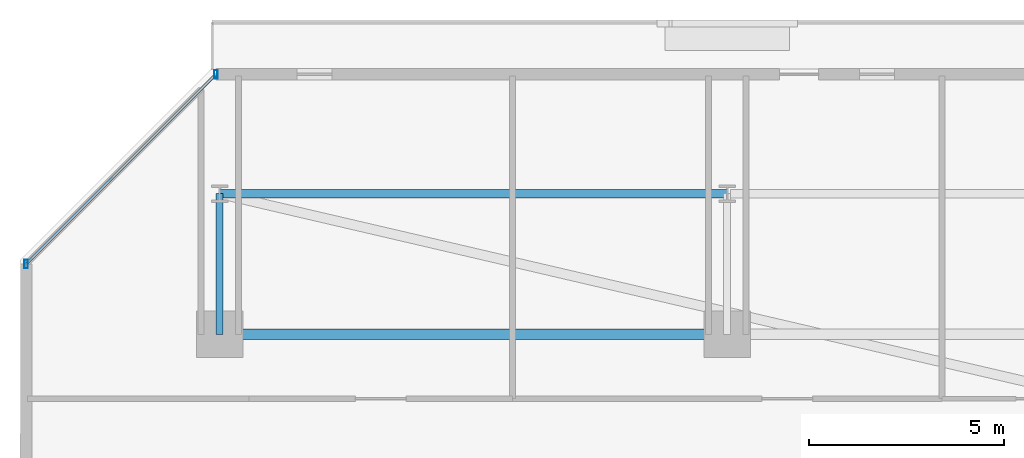
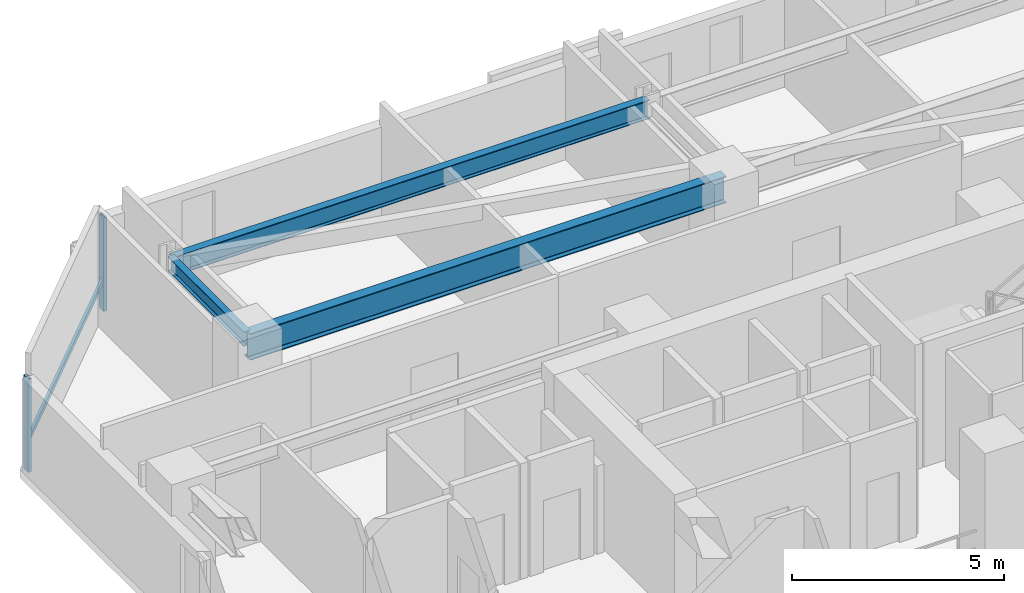
# One storey, part 8 of 31: 3 beams, 3 members, 1 element without a shape of its own.
"""IFC4 building model written with IfcOpenShell, lengths in metres."""

from ifc_helpers import new_model, si_unit, direction, frame, origin, origin_2d, place, context, subcontext, project, spatial, hollow_rectangle, i_section, extrude, material, material_profile, profile_set, type_object, element, aggregate, save


model = new_model("IFC4")

# Units and contexts
model_context = context("Model", 3, precision=1e-05, world=origin(), true_north=direction((0.0, 1.0)))
body_context = subcontext(model_context, "Body", "Model", "MODEL_VIEW")
ifc_project = project(units=[si_unit("LENGTHUNIT", "METRE"), si_unit("AREAUNIT", "SQUARE_METRE"), si_unit("VOLUMEUNIT", "CUBIC_METRE"), si_unit("PLANEANGLEUNIT", "RADIAN"), si_unit("MASSUNIT", "GRAM", prefix="KILO")], contexts=[model_context])

# Site, building, storey
site_placement = place(None, origin())
site = spatial("IfcSite", under=ifc_project, at=site_placement, CompositionType="ELEMENT")
building_placement = place(site_placement, origin())
building = spatial("IfcBuilding", under=site, at=building_placement, Name="Thornwick Lancets Civic Towers", CompositionType="ELEMENT")
storey_placement = place(building_placement, frame((0.0, 0.0, 90.89990234375)))
storey = spatial("IfcBuildingStorey", under=building, at=storey_placement, Name="L23", CompositionType="ELEMENT", Elevation=90.89990234375)

# Beams
ifc_material_1 = material(Name="Steel S355JR", Category="steel")
ifc_material_profile_1 = material_profile(ifc_material_1, i_section(OverallWidth=0.2119140625, OverallDepth=0.54443359375, WebThickness=0.0126953125, FlangeThickness=0.021240234375, FilletRadius=0.0126953125, at=origin_2d()), Name="UKB 533x210x122")
ifc_profile_set_1 = profile_set([ifc_material_profile_1], Name="Steel S355JR")
beam_type_1 = type_object("IfcBeamType", Name="BM_EDGE_533_122", PredefinedType="SPANDREL", material=ifc_profile_set_1)
beam_1_placement = place(storey_placement, frame((12.5, 47.89990234375, 3.087890625), z_axis=(1.0, 0.0, 0.0), x_axis=(0.0, 1.0, 0.0)))
element("IfcBeam", 1, at=beam_1_placement, inside=storey, type_object=beam_type_1, Name="BM-EDGE-L23-A-S2-1", PredefinedType="SPANDREL", context=body_context, shape_type="SweptSolid", body=[
    extrude(i_section(OverallWidth=0.2119140625, OverallDepth=0.54443359375, WebThickness=0.0126953125, FlangeThickness=0.021240234375, FilletRadius=0.0126953125, at=origin_2d()), origin(), (0.0, 0.0, 1.0), 13.0),
])
ifc_material_profile_2 = material_profile(ifc_material_1, i_section(OverallWidth=0.26806640625, OverallDepth=0.769775390625, WebThickness=0.015625, FlangeThickness=0.025390625, FilletRadius=0.0166015625, at=origin_2d()), Name="UKB 762x267x197")
ifc_profile_set_2 = profile_set([ifc_material_profile_2], Name="Steel S355JR")
beam_type_2 = type_object("IfcBeamType", Name="BM_GIRD_762_197", PredefinedType="BEAM", material=ifc_profile_set_2)
beam_2_placement = place(storey_placement, frame((12.5, 44.300048828125, 2.97509765625), z_axis=(1.0, 0.0, 0.0), x_axis=(0.0, 1.0, 0.0)))
element("IfcBeam", 2, at=beam_2_placement, inside=storey, type_object=beam_type_2, Name="BM-SPINE-L23-A-6-7", PredefinedType="BEAM", context=body_context, shape_type="SweptSolid", body=[
    extrude(i_section(OverallWidth=0.26806640625, OverallDepth=0.769775390625, WebThickness=0.015625, FlangeThickness=0.025390625, FilletRadius=0.0166015625, at=origin_2d()), origin(), (0.0, 0.0, 1.0), 13.0),
])
ifc_material_profile_3 = material_profile(ifc_material_1, i_section(OverallWidth=0.179443359375, OverallDepth=0.412841796875, WebThickness=0.009521484375, FlangeThickness=0.01611328125, FilletRadius=0.01025390625, at=origin_2d()), Name="UKB 406x178x74")
ifc_profile_set_3 = profile_set([ifc_material_profile_3], Name="Steel S355JR")
beam_type_3 = type_object("IfcBeamType", Name="BM_JOIST_406_74", PredefinedType="JOIST", material=ifc_profile_set_3)
beam_3_placement = place(storey_placement, frame((12.5, 44.300048828125, 3.15380859375), z_axis=(0.0, 1.0, 0.0), x_axis=(-1.0, 0.0, 0.0)))
element("IfcBeam", 3, at=beam_3_placement, inside=storey, type_object=beam_type_3, Name="BM-RAD-L23-A07", PredefinedType="JOIST", context=body_context, shape_type="SweptSolid", body=[
    extrude(i_section(OverallWidth=0.179443359375, OverallDepth=0.412841796875, WebThickness=0.009521484375, FlangeThickness=0.01611328125, FilletRadius=0.01025390625, at=origin_2d()), origin(), (0.0, 0.0, 1.0), 3.599853515625),
])

# Curtain wall, members
ifc_material_2 = material(Name="Low-zone chamfered-corner unitised glass curtain wall", Category="glass")
curtain_wall_type = type_object("IfcCurtainWallType", Name="CW_SYS_03", PredefinedType="NOTDEFINED", material=ifc_material_2)
curtain_wall_placement = place(storey_placement, origin())
curtain_wall = element("IfcCurtainWall", 4, at=curtain_wall_placement, inside=storey, type_object=curtain_wall_type, Name="L23 Curtain Wall CW-L23-A-E5", PredefinedType="NOTDEFINED")
ifc_material_3 = material(Name="Thermally broken bronze aluminium S355", Category="steel")
ifc_material_profile_4 = material_profile(ifc_material_3, hollow_rectangle(XDim=0.090087890625, YDim=0.219970703125, WallThickness=0.00634765625, at=origin_2d()), Name="RHS 220x90x6.3")
ifc_profile_set_4 = profile_set([ifc_material_profile_4], Name="Thermally broken bronze aluminium S355")
member_type_1 = type_object("IfcMemberType", Name="CW_MUL_220", PredefinedType="MULLION", material=ifc_profile_set_4)
member_1_placement = place(storey_placement, frame((12.400634765625, 50.957275390625, 0.0), z_axis=(0.0, 0.0, 1.0), x_axis=(1.0, 0.0, 0.0)))
member_1 = element("IfcMember", 5, at=member_1_placement, type_object=member_type_1, Name="CW-L23-A-E5 Mullion 0", PredefinedType="MULLION", context=body_context, shape_type="SweptSolid", body=[
    extrude(hollow_rectangle(XDim=0.090087890625, YDim=0.219970703125, WallThickness=0.00634765625, at=origin_2d()), origin(), (0.0, 0.0, 1.0), 2.7001953125),
])
member_2_placement = place(storey_placement, frame((7.542724609375, 46.099365234375, 0.0), z_axis=(0.0, 0.0, 1.0), x_axis=(1.0, 0.0, 0.0)))
member_2 = element("IfcMember", 6, at=member_2_placement, type_object=member_type_1, Name="CW-L23-A-E5 Mullion 1", PredefinedType="MULLION", context=body_context, shape_type="SweptSolid", body=[
    extrude(hollow_rectangle(XDim=0.090087890625, YDim=0.219970703125, WallThickness=0.00634765625, at=origin_2d()), origin(), (0.0, 0.0, 1.0), 2.7001953125),
])
ifc_material_profile_5 = material_profile(ifc_material_3, hollow_rectangle(XDim=0.074951171875, YDim=0.14990234375, WallThickness=0.0048828125, at=origin_2d()), Name="RHS 150x75x5")
ifc_profile_set_5 = profile_set([ifc_material_profile_5], Name="Thermally broken bronze aluminium S355")
member_type_2 = type_object("IfcMemberType", Name="CW_TRN_150", PredefinedType="USERDEFINED", material=ifc_profile_set_5)
member_3_placement = place(storey_placement, frame((12.38671875, 50.943115234375, 0.85009765625), z_axis=(-0.707106781187, -0.707106781187, 0.0), x_axis=(0.707106781187, -0.707106781187, 0.0)))
member_3 = element("IfcMember", 7, at=member_3_placement, type_object=member_type_2, Name="CW-L23-A-E5 Transom 0", ObjectType="TRANSOM", PredefinedType="USERDEFINED", context=body_context, shape_type="SweptSolid", body=[
    extrude(hollow_rectangle(XDim=0.074951171875, YDim=0.14990234375, WallThickness=0.0048828125, at=origin_2d()), origin(), (0.0, 0.0, 1.0), 6.830322265625),
])
aggregate(curtain_wall, [member_1, member_2, member_3])

save(model, "model.ifc")
